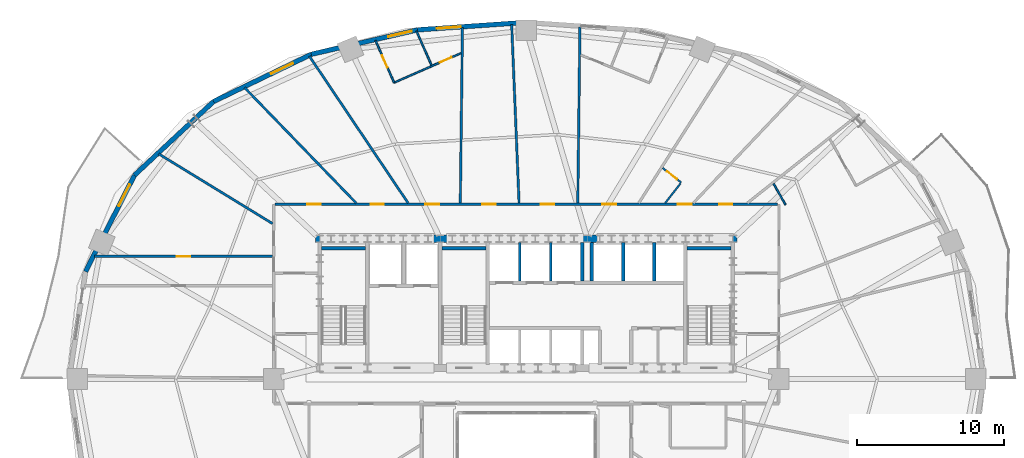
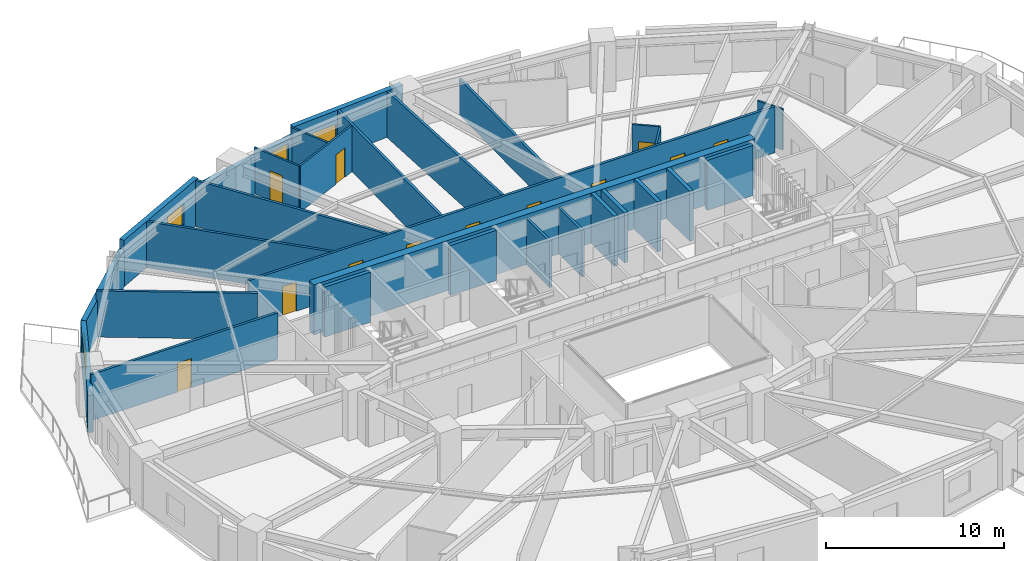
# One storey, part 11 of 16: 29 walls, 12 doors, 4 windows, 16 openings.
"""IFC4 building model written with IfcOpenShell, lengths in metres."""

from ifc_helpers import new_model, si_unit, direction, frame, frame_2d, origin, place, context, subcontext, project, spatial, rectangle, extrude, material, layer, layer_set, type_object, element, fill, save


model = new_model("IFC4")

# Units and contexts
model_context = context("Model", 3, precision=1e-05, world=origin(), true_north=direction((0.0, 1.0)))
body_context = subcontext(model_context, "Body", "Model", "MODEL_VIEW")
ifc_project = project(units=[si_unit("LENGTHUNIT", "METRE"), si_unit("AREAUNIT", "SQUARE_METRE"), si_unit("VOLUMEUNIT", "CUBIC_METRE"), si_unit("PLANEANGLEUNIT", "RADIAN"), si_unit("MASSUNIT", "GRAM", prefix="KILO")], contexts=[model_context])

# Site, building, storey
site_placement = place(None, origin())
site = spatial("IfcSite", under=ifc_project, at=site_placement, CompositionType="ELEMENT")
building_placement = place(site_placement, origin())
building = spatial("IfcBuilding", under=site, at=building_placement, Name="Haldorwick Loom Tower", CompositionType="ELEMENT")
storey_placement = place(building_placement, frame((0.0, 0.0, 68.85009765625)))
storey = spatial("IfcBuildingStorey", under=building, at=storey_placement, Name="L18", CompositionType="ELEMENT", Elevation=68.85009765625)

# Wall, opening, window
ifc_material_1 = material(Name="Pressed Clay Face Brick and Insulated Masonry Backup Assembly", Category="masonry")
ifc_layer_1 = layer(ifc_material_1, 0.320068359375, Name="Pressed Clay Face Brick and Insulated Masonry Backup Assembly", Category="masonry")
ifc_layer_set_1 = layer_set([ifc_layer_1], Name="Pressed Clay Face Brick and Insulated Masonry Backup Assembly")
wall_type_1 = type_object("IfcWallType", Name="ARC-WL-EXT320", PredefinedType="STANDARD", material=ifc_layer_set_1)
wall_1_placement = place(storey_placement, frame((36.0, 50.2900390625, 0.0), z_axis=(0.0, 0.0, 1.0), x_axis=(-0.997645161917, -0.068586667092, 0.0)))
wall_1 = element("IfcWall", 1, at=wall_1_placement, inside=storey, type_object=wall_type_1, Name="L18 Brick Pier and Spandrel Wall 7", PredefinedType="STANDARD", context=body_context, shape_type="SweptSolid", body=[
    extrude(rectangle(XDim=7.428955078125, YDim=0.320068359375, at=frame_2d((3.71435546875, 0.0))), origin(), (0.0, 0.0, 1.0), 3.18994140625),
])
opening_1_placement = place(wall_1_placement, frame((4.47900390625, 0.0, 0.800048828125)))
opening_1 = element("IfcOpeningElement", 2, at=opening_1_placement, cuts=wall_1, Name="Opening W-01B", PredefinedType="OPENING", context=body_context, shape_type="SweptSolid", body=[
    extrude(rectangle(XDim=1.64990234375, YDim=1.449951171875, at=frame_2d((0.824951171875, 0.72509765625))), frame((0.0, 0.169921875, 0.0), z_axis=(0.0, -1.0, 0.0), x_axis=(1.0, 0.0, 0.0)), (0.0, 0.0, 1.0), 0.340087890625),
])
ifc_material_2 = material(Name="Triple-Glazed Low-E Argon Insulated Glazing Unit", Category="glass")
window_type = type_object("IfcWindowType", Name="ARC-WIN-W165", PartitioningType="SINGLE_PANEL", PredefinedType="WINDOW", material=ifc_material_2)
window_1_placement = place(opening_1_placement, origin())
window_1 = element("IfcWindow", 3, at=window_1_placement, inside=storey, type_object=window_type, Name="L18 Deep-Set Zone 7A Window 7", OverallHeight=1.449951171875, OverallWidth=1.64990234375, PartitioningType="SINGLE_PANEL", PredefinedType="WINDOW", context=body_context, shape_type="SweptSolid", body=[
    extrude(rectangle(XDim=1.64990234375, YDim=1.449951171875, at=frame_2d((0.824951171875, 0.72509765625))), frame((0.0, 0.030029296875, 0.0), z_axis=(0.0, -1.0, 0.0), x_axis=(1.0, 0.0, 0.0)), (0.0, 0.0, 1.0), 0.06005859375),
])
fill(opening_1, window_1)

wall_2_placement = place(storey_placement, frame((28.588623046875, 49.780517578125, 0.0), z_axis=(0.0, 0.0, 1.0), x_axis=(-0.974522412345, -0.224290142088, 0.0)))
wall_2 = element("IfcWall", 4, at=wall_2_placement, inside=storey, type_object=wall_type_1, Name="L18 Brick Pier and Spandrel Wall 8", PredefinedType="STANDARD", context=body_context, shape_type="SweptSolid", body=[
    extrude(rectangle(XDim=7.422607421875, YDim=0.320068359375, at=frame_2d((3.71142578125, 0.0))), origin(), (0.0, 0.0, 1.0), 2.548828125),
])
opening_2_placement = place(wall_2_placement, frame((0.39990234375, 0.0, 0.800048828125)))
opening_2 = element("IfcOpeningElement", 5, at=opening_2_placement, cuts=wall_2, Name="Opening W-01B", PredefinedType="OPENING", context=body_context, shape_type="SweptSolid", body=[
    extrude(rectangle(XDim=1.64990234375, YDim=1.449951171875, at=frame_2d((0.824951171875, 0.72509765625))), frame((0.0, 0.169921875, 0.0), z_axis=(0.0, -1.0, 0.0), x_axis=(1.0, 0.0, 0.0)), (0.0, 0.0, 1.0), 0.340087890625),
])
window_2_placement = place(opening_2_placement, origin())
window_2 = element("IfcWindow", 6, at=window_2_placement, inside=storey, type_object=window_type, Name="L18 Deep-Set Zone 7A Window 8", OverallHeight=1.449951171875, OverallWidth=1.64990234375, PartitioningType="SINGLE_PANEL", PredefinedType="WINDOW", context=body_context, shape_type="SweptSolid", body=[
    extrude(rectangle(XDim=1.64990234375, YDim=1.449951171875, at=frame_2d((0.824951171875, 0.72509765625))), frame((0.0, 0.030029296875, 0.0), z_axis=(0.0, -1.0, 0.0), x_axis=(1.0, 0.0, 0.0)), (0.0, 0.0, 1.0), 0.06005859375),
])
fill(opening_2, window_2)

wall_3_placement = place(storey_placement, frame((21.355224609375, 48.11572265625, 0.0), z_axis=(0.0, 0.0, 1.0), x_axis=(-0.900295710431, -0.435278800057, 0.0)))
wall_3 = element("IfcWall", 7, at=wall_3_placement, inside=storey, type_object=wall_type_1, Name="L18 Brick Pier and Spandrel Wall 9", PredefinedType="STANDARD", context=body_context, shape_type="SweptSolid", body=[
    extrude(rectangle(XDim=7.39697265625, YDim=0.320068359375, at=frame_2d((3.698486328125, 0.0))), origin(), (0.0, 0.0, 1.0), 3.18994140625),
])
opening_3_placement = place(wall_3_placement, frame((1.39404296875, 0.0, 0.800048828125)))
opening_3 = element("IfcOpeningElement", 8, at=opening_3_placement, cuts=wall_3, Name="Opening W-01B", PredefinedType="OPENING", context=body_context, shape_type="SweptSolid", body=[
    extrude(rectangle(XDim=1.64990234375, YDim=1.449951171875, at=frame_2d((0.824951171875, 0.72509765625))), frame((0.0, 0.169921875, 0.0), z_axis=(0.0, -1.0, 0.0), x_axis=(1.0, 0.0, 0.0)), (0.0, 0.0, 1.0), 0.340087890625),
])
window_3_placement = place(opening_3_placement, origin())
window_3 = element("IfcWindow", 9, at=window_3_placement, inside=storey, type_object=window_type, Name="L18 Deep-Set Zone 7A Window 9", OverallHeight=1.449951171875, OverallWidth=1.64990234375, PartitioningType="SINGLE_PANEL", PredefinedType="WINDOW", context=body_context, shape_type="SweptSolid", body=[
    extrude(rectangle(XDim=1.64990234375, YDim=1.449951171875, at=frame_2d((0.824951171875, 0.72509765625))), frame((0.0, 0.030029296875, 0.0), z_axis=(0.0, -1.0, 0.0), x_axis=(1.0, 0.0, 0.0)), (0.0, 0.0, 1.0), 0.06005859375),
])
fill(opening_3, window_3)

# Wall
wall_4_placement = place(storey_placement, frame((14.69580078125, 44.89599609375, 0.0), z_axis=(0.0, 0.0, 1.0), x_axis=(-0.73176101237, -0.681561311091, 0.0)))
element("IfcWall", 10, at=wall_4_placement, inside=storey, type_object=wall_type_1, Name="L18 Brick Pier and Spandrel Wall 10", PredefinedType="STANDARD", context=body_context, shape_type="SweptSolid", body=[
    extrude(rectangle(XDim=7.3583984375, YDim=0.320068359375, at=frame_2d((3.67919921875, 0.0))), origin(), (0.0, 0.0, 1.0), 2.548828125),
])

# Wall, opening, window
wall_5_placement = place(storey_placement, frame((9.311279296875, 39.880859375, 0.0), z_axis=(0.0, 0.0, 1.0), x_axis=(-0.452950855928, -0.891535485617, 0.0)))
wall_5 = element("IfcWall", 11, at=wall_5_placement, inside=storey, type_object=wall_type_1, Name="L18 Brick Pier and Spandrel Wall 11", PredefinedType="STANDARD", context=body_context, shape_type="SweptSolid", body=[
    extrude(rectangle(XDim=7.3583984375, YDim=0.320068359375, at=frame_2d((3.67919921875, 0.0))), origin(), (0.0, 0.0, 1.0), 2.548828125),
])
opening_4_placement = place(wall_5_placement, frame((0.69921875, 0.0, 0.800048828125)))
opening_4 = element("IfcOpeningElement", 12, at=opening_4_placement, cuts=wall_5, Name="Opening W-01B", PredefinedType="OPENING", context=body_context, shape_type="SweptSolid", body=[
    extrude(rectangle(XDim=1.64990234375, YDim=1.449951171875, at=frame_2d((0.824951171875, 0.72509765625))), frame((0.0, 0.169921875, 0.0), z_axis=(0.0, -1.0, 0.0), x_axis=(1.0, 0.0, 0.0)), (0.0, 0.0, 1.0), 0.340087890625),
])
window_4_placement = place(opening_4_placement, origin())
window_4 = element("IfcWindow", 13, at=window_4_placement, inside=storey, type_object=window_type, Name="L18 Deep-Set Zone 7A Window 11", OverallHeight=1.449951171875, OverallWidth=1.64990234375, PartitioningType="SINGLE_PANEL", PredefinedType="WINDOW", context=body_context, shape_type="SweptSolid", body=[
    extrude(rectangle(XDim=1.64990234375, YDim=1.449951171875, at=frame_2d((0.824951171875, 0.72509765625))), frame((0.0, 0.030029296875, 0.0), z_axis=(0.0, -1.0, 0.0), x_axis=(1.0, 0.0, 0.0)), (0.0, 0.0, 1.0), 0.06005859375),
])
fill(opening_4, window_4)

# Wall, openings, doors
ifc_material_3 = material(Name="Fire-Rated Type X Gypsum Stud Assembly EI 60")
ifc_layer_2 = layer(ifc_material_3, 0.159912109375, Name="Fire-Rated Type X Gypsum Stud Assembly EI 60")
ifc_layer_set_2 = layer_set([ifc_layer_2], Name="Fire-Rated Type X Gypsum Stud Assembly EI 60")
wall_type_2 = type_object("IfcWallType", Name="ARC-WL-FIRE160", PredefinedType="PARTITIONING", material=ifc_layer_set_2)
wall_6_placement = place(storey_placement, frame((18.883056640625, 37.89990234375, 0.0), z_axis=(0.0, 0.0, 1.0), x_axis=(1.0, 0.0, 0.0)))
wall_6 = element("IfcWall", 14, at=wall_6_placement, inside=storey, type_object=wall_type_2, Name="L18 Residential Fire Partition L18-CR-N0", PredefinedType="PARTITIONING", context=body_context, shape_type="SweptSolid", body=[
    extrude(rectangle(XDim=34.23388671875, YDim=0.159912109375, at=frame_2d((17.116943359375, 0.0))), origin(), (0.0, 0.0, 1.0), 3.1748046875),
])
opening_5_placement = place(wall_6_placement, frame((2.200439453125, 0.0, 0.0)))
opening_5 = element("IfcOpeningElement", 15, at=opening_5_placement, cuts=wall_6, Name="Opening D-FD60A", PredefinedType="OPENING", context=body_context, shape_type="SweptSolid", body=[
    extrude(rectangle(XDim=0.89990234375, YDim=2.0, at=frame_2d((0.449951171875, 1.0))), frame((0.0, 0.08984375, 0.0), z_axis=(0.0, -1.0, 0.0), x_axis=(1.0, 0.0, 0.0)), (0.0, 0.0, 1.0), 0.179931640625),
])
opening_6_placement = place(wall_6_placement, frame((22.27392578125, 0.0, 0.0)))
opening_6 = element("IfcOpeningElement", 16, at=opening_6_placement, cuts=wall_6, Name="Opening D-FL95", PredefinedType="OPENING", context=body_context, shape_type="SweptSolid", body=[
    extrude(rectangle(XDim=0.949951171875, YDim=2.0400390625, at=frame_2d((0.47509765625, 1.02001953125))), frame((0.0, 0.08984375, 0.0), z_axis=(0.0, -1.0, 0.0), x_axis=(1.0, 0.0, 0.0)), (0.0, 0.0, 1.0), 0.179931640625),
])
opening_7_placement = place(wall_6_placement, frame((14.127197265625, 0.0, 0.0)))
opening_7 = element("IfcOpeningElement", 17, at=opening_7_placement, cuts=wall_6, Name="Opening D-FD60A", PredefinedType="OPENING", context=body_context, shape_type="SweptSolid", body=[
    extrude(rectangle(XDim=0.89990234375, YDim=2.0, at=frame_2d((0.449951171875, 1.0))), frame((0.0, 0.08984375, 0.0), z_axis=(0.0, -1.0, 0.0), x_axis=(1.0, 0.0, 0.0)), (0.0, 0.0, 1.0), 0.179931640625),
])
opening_8_placement = place(wall_6_placement, frame((18.1025390625, 0.0, 0.0)))
opening_8 = element("IfcOpeningElement", 18, at=opening_8_placement, cuts=wall_6, Name="Opening D-FD60A", PredefinedType="OPENING", context=body_context, shape_type="SweptSolid", body=[
    extrude(rectangle(XDim=0.89990234375, YDim=2.0, at=frame_2d((0.449951171875, 1.0))), frame((0.0, 0.08984375, 0.0), z_axis=(0.0, -1.0, 0.0), x_axis=(1.0, 0.0, 0.0)), (0.0, 0.0, 1.0), 0.179931640625),
])
opening_9_placement = place(wall_6_placement, frame((30.250244140625, 0.0, 0.0)))
opening_9 = element("IfcOpeningElement", 19, at=opening_9_placement, cuts=wall_6, Name="Opening D-FD60A", PredefinedType="OPENING", context=body_context, shape_type="SweptSolid", body=[
    extrude(rectangle(XDim=0.89990234375, YDim=2.0, at=frame_2d((0.449951171875, 1.0))), frame((0.0, 0.08984375, 0.0), z_axis=(0.0, -1.0, 0.0), x_axis=(1.0, 0.0, 0.0)), (0.0, 0.0, 1.0), 0.179931640625),
])
opening_10_placement = place(wall_6_placement, frame((6.507080078125, 0.0, 0.0)))
opening_10 = element("IfcOpeningElement", 20, at=opening_10_placement, cuts=wall_6, Name="Opening D-FD60A", PredefinedType="OPENING", context=body_context, shape_type="SweptSolid", body=[
    extrude(rectangle(XDim=0.89990234375, YDim=2.0, at=frame_2d((0.449951171875, 1.0))), frame((0.0, 0.08984375, 0.0), z_axis=(0.0, -1.0, 0.0), x_axis=(1.0, 0.0, 0.0)), (0.0, 0.0, 1.0), 0.179931640625),
])
opening_11_placement = place(wall_6_placement, frame((10.23681640625, 0.0, 0.0)))
opening_11 = element("IfcOpeningElement", 21, at=opening_11_placement, cuts=wall_6, Name="Opening D-FL95", PredefinedType="OPENING", context=body_context, shape_type="SweptSolid", body=[
    extrude(rectangle(XDim=0.949951171875, YDim=2.0400390625, at=frame_2d((0.47509765625, 1.02001953125))), frame((0.0, 0.08984375, 0.0), z_axis=(0.0, -1.0, 0.0), x_axis=(1.0, 0.0, 0.0)), (0.0, 0.0, 1.0), 0.179931640625),
])
opening_12_placement = place(wall_6_placement, frame((27.412841796875, 0.0, 0.0)))
opening_12 = element("IfcOpeningElement", 22, at=opening_12_placement, cuts=wall_6, Name="Opening D-FL95", PredefinedType="OPENING", context=body_context, shape_type="SweptSolid", body=[
    extrude(rectangle(XDim=0.949951171875, YDim=2.0400390625, at=frame_2d((0.47509765625, 1.02001953125))), frame((0.0, 0.08984375, 0.0), z_axis=(0.0, -1.0, 0.0), x_axis=(1.0, 0.0, 0.0)), (0.0, 0.0, 1.0), 0.179931640625),
])
ifc_material_4 = material(Name="Hollow Steel Fire Door Assembly", Category="steel")
door_type_1 = type_object("IfcDoorType", Name="ARC-DR-FD60-90", OperationType="NOTDEFINED", PredefinedType="DOOR", material=ifc_material_4)
door_1_placement = place(opening_5_placement, frame((0.89990234375, 0.0, 0.0), z_axis=(0.0, 0.0, 1.0), x_axis=(-1.0, 0.0, 0.0)))
door_1 = element("IfcDoor", 23, at=door_1_placement, inside=storey, type_object=door_type_1, Name="L18 Community Library Hall 5 to L18 North Residential Corridor Door", OperationType="SINGLE_SWING_LEFT", OverallHeight=2.0, OverallWidth=0.89990234375, PredefinedType="DOOR", context=body_context, shape_type="SweptSolid", body=[
    extrude(rectangle(XDim=0.89990234375, YDim=2.0, at=frame_2d((0.449951171875, 1.0))), frame((0.0, 0.02490234375, 0.0), z_axis=(0.0, -1.0, 0.0), x_axis=(1.0, 0.0, 0.0)), (0.0, 0.0, 1.0), 0.050048828125),
])
fill(opening_5, door_1)
door_2_placement = place(opening_7_placement, frame((0.89990234375, 0.0, 0.0), z_axis=(0.0, 0.0, 1.0), x_axis=(-1.0, 0.0, 0.0)))
door_2 = element("IfcDoor", 24, at=door_2_placement, inside=storey, type_object=door_type_1, Name="L18 Resident Study Room 2 to L18 North Residential Corridor Door", OperationType="SINGLE_SWING_RIGHT", OverallHeight=2.0, OverallWidth=0.89990234375, PredefinedType="DOOR", context=body_context, shape_type="SweptSolid", body=[
    extrude(rectangle(XDim=0.89990234375, YDim=2.0, at=frame_2d((0.449951171875, 1.0))), frame((0.0, 0.02490234375, 0.0), z_axis=(0.0, -1.0, 0.0), x_axis=(1.0, 0.0, 0.0)), (0.0, 0.0, 1.0), 0.050048828125),
])
fill(opening_7, door_2)
door_3_placement = place(opening_8_placement, frame((0.89990234375, 0.0, 0.0), z_axis=(0.0, 0.0, 1.0), x_axis=(-1.0, 0.0, 0.0)))
door_3 = element("IfcDoor", 25, at=door_3_placement, inside=storey, type_object=door_type_1, Name="L18 Quiet Study Room 3 to L18 North Residential Corridor Door", OperationType="SINGLE_SWING_LEFT", OverallHeight=2.0, OverallWidth=0.89990234375, PredefinedType="DOOR", context=body_context, shape_type="SweptSolid", body=[
    extrude(rectangle(XDim=0.89990234375, YDim=2.0, at=frame_2d((0.449951171875, 1.0))), frame((0.0, 0.02490234375, 0.0), z_axis=(0.0, -1.0, 0.0), x_axis=(1.0, 0.0, 0.0)), (0.0, 0.0, 1.0), 0.050048828125),
])
fill(opening_8, door_3)
door_4_placement = place(opening_9_placement, frame((0.89990234375, 0.0, 0.0), z_axis=(0.0, 0.0, 1.0), x_axis=(-1.0, 0.0, 0.0)))
door_4 = element("IfcDoor", 26, at=door_4_placement, inside=storey, type_object=door_type_1, Name="L18 Resident Study Room 13 to L18 North Residential Corridor Door", OperationType="SINGLE_SWING_RIGHT", OverallHeight=2.0, OverallWidth=0.89990234375, PredefinedType="DOOR", context=body_context, shape_type="SweptSolid", body=[
    extrude(rectangle(XDim=0.89990234375, YDim=2.0, at=frame_2d((0.449951171875, 1.0))), frame((0.0, 0.02490234375, 0.0), z_axis=(0.0, -1.0, 0.0), x_axis=(1.0, 0.0, 0.0)), (0.0, 0.0, 1.0), 0.050048828125),
])
fill(opening_9, door_4)
door_5_placement = place(opening_10_placement, frame((0.89990234375, 0.0, 0.0), z_axis=(0.0, 0.0, 1.0), x_axis=(-1.0, 0.0, 0.0)))
door_5 = element("IfcDoor", 27, at=door_5_placement, inside=storey, type_object=door_type_1, Name="L18 Community Library Hall 12 to L18 North Residential Corridor Door", OperationType="SINGLE_SWING_RIGHT", OverallHeight=2.0, OverallWidth=0.89990234375, PredefinedType="DOOR", context=body_context, shape_type="SweptSolid", body=[
    extrude(rectangle(XDim=0.89990234375, YDim=2.0, at=frame_2d((0.449951171875, 1.0))), frame((0.0, 0.02490234375, 0.0), z_axis=(0.0, -1.0, 0.0), x_axis=(1.0, 0.0, 0.0)), (0.0, 0.0, 1.0), 0.050048828125),
])
fill(opening_10, door_5)
ifc_material_5 = material(Name="Solid Core Birch Architectural Door")
door_type_2 = type_object("IfcDoorType", Name="ARC-DR-FLAT95", OperationType="NOTDEFINED", PredefinedType="DOOR", material=ifc_material_5)
door_6_placement = place(opening_6_placement, frame((0.949951171875, 0.0, 0.0), z_axis=(0.0, 0.0, 1.0), x_axis=(-1.0, 0.0, 0.0)))
door_6 = element("IfcDoor", 28, at=door_6_placement, inside=storey, type_object=door_type_2, Name="L18 Unit 18K Kitchen and Living Room to L18 North Residential Corridor D", OperationType="SINGLE_SWING_LEFT", OverallHeight=2.0400390625, OverallWidth=0.949951171875, PredefinedType="DOOR", context=body_context, shape_type="SweptSolid", body=[
    extrude(rectangle(XDim=0.949951171875, YDim=2.0400390625, at=frame_2d((0.47509765625, 1.02001953125))), frame((0.0, 0.02490234375, 0.0), z_axis=(0.0, -1.0, 0.0), x_axis=(1.0, 0.0, 0.0)), (0.0, 0.0, 1.0), 0.050048828125),
])
fill(opening_6, door_6)
door_7_placement = place(opening_11_placement, frame((0.949951171875, 0.0, 0.0), z_axis=(0.0, 0.0, 1.0), x_axis=(-1.0, 0.0, 0.0)))
door_7 = element("IfcDoor", 29, at=door_7_placement, inside=storey, type_object=door_type_2, Name="L18 Unit 18M Kitchen and Living Room to L18 North Residential Corridor D", OperationType="SINGLE_SWING_LEFT", OverallHeight=2.0400390625, OverallWidth=0.949951171875, PredefinedType="DOOR", context=body_context, shape_type="SweptSolid", body=[
    extrude(rectangle(XDim=0.949951171875, YDim=2.0400390625, at=frame_2d((0.47509765625, 1.02001953125))), frame((0.0, 0.02490234375, 0.0), z_axis=(0.0, -1.0, 0.0), x_axis=(1.0, 0.0, 0.0)), (0.0, 0.0, 1.0), 0.050048828125),
])
fill(opening_11, door_7)
door_8_placement = place(opening_12_placement, frame((0.949951171875, 0.0, 0.0), z_axis=(0.0, 0.0, 1.0), x_axis=(-1.0, 0.0, 0.0)))
door_8 = element("IfcDoor", 30, at=door_8_placement, inside=storey, type_object=door_type_2, Name="L18 Unit 18J Kitchen and Studio Living Room to L18 North Residential Cor", OperationType="SINGLE_SWING_RIGHT", OverallHeight=2.0400390625, OverallWidth=0.949951171875, PredefinedType="DOOR", context=body_context, shape_type="SweptSolid", body=[
    extrude(rectangle(XDim=0.949951171875, YDim=2.0400390625, at=frame_2d((0.47509765625, 1.02001953125))), frame((0.0, 0.02490234375, 0.0), z_axis=(0.0, -1.0, 0.0), x_axis=(1.0, 0.0, 0.0)), (0.0, 0.0, 1.0), 0.050048828125),
])
fill(opening_12, door_8)

# Wall, opening, door
wall_7_placement = place(storey_placement, frame((6.57421875, 34.35009765625, 0.0), z_axis=(0.0, 0.0, 1.0), x_axis=(1.0, 0.0, 0.0)))
wall_7 = element("IfcWall", 31, at=wall_7_placement, inside=storey, type_object=wall_type_2, Name="L18 Residential Fire Partition L18-CR-GW1", PredefinedType="PARTITIONING", context=body_context, shape_type="SweptSolid", body=[
    extrude(rectangle(XDim=12.142822265625, YDim=0.159912109375, at=frame_2d((6.0712890625, 0.0))), origin(), (0.0, 0.0, 1.0), 3.1748046875),
])
opening_13_placement = place(wall_7_placement, frame((5.621337890625, 0.0, 0.0)))
opening_13 = element("IfcOpeningElement", 32, at=opening_13_placement, cuts=wall_7, Name="Opening D-FD60A", PredefinedType="OPENING", context=body_context, shape_type="SweptSolid", body=[
    extrude(rectangle(XDim=0.89990234375, YDim=2.0, at=frame_2d((0.449951171875, 1.0))), frame((0.0, 0.08984375, 0.0), z_axis=(0.0, -1.0, 0.0), x_axis=(1.0, 0.0, 0.0)), (0.0, 0.0, 1.0), 0.179931640625),
])
door_9_placement = place(opening_13_placement, frame((0.89990234375, 0.0, 0.0), z_axis=(0.0, 0.0, 1.0), x_axis=(-1.0, 0.0, 0.0)))
door_9 = element("IfcDoor", 33, at=door_9_placement, inside=storey, type_object=door_type_1, Name="L18 Resident Study Room 1 to L18 West Daylight Corridor Door", OperationType="SINGLE_SWING_RIGHT", OverallHeight=2.0, OverallWidth=0.89990234375, PredefinedType="DOOR", context=body_context, shape_type="SweptSolid", body=[
    extrude(rectangle(XDim=0.89990234375, YDim=2.0, at=frame_2d((0.449951171875, 1.0))), frame((0.0, 0.02490234375, 0.0), z_axis=(0.0, -1.0, 0.0), x_axis=(1.0, 0.0, 0.0)), (0.0, 0.0, 1.0), 0.050048828125),
])
fill(opening_13, door_9)

# Walls
wall_8_placement = place(storey_placement, frame((31.5009765625, 37.98291015625, 0.0), z_axis=(0.0, 0.0, 1.0), x_axis=(0.012121684325, 0.999926529686, 0.0)))
element("IfcWall", 34, at=wall_8_placement, inside=storey, type_object=wall_type_2, Name="L18 Residential Fire Partition L18-UPN-11", PredefinedType="PARTITIONING", context=body_context, shape_type="SweptSolid", body=[
    extrude(rectangle(XDim=11.943603515625, YDim=0.159912109375, at=frame_2d((5.9716796875, 0.0))), origin(), (0.0, 0.0, 1.0), 3.1748046875),
])
wall_9_placement = place(storey_placement, frame((39.5009765625, 37.98291015625, 0.0), z_axis=(0.0, 0.0, 1.0), x_axis=(0.012113289879, 0.999926631413, 0.0)))
element("IfcWall", 35, at=wall_9_placement, inside=storey, type_object=wall_type_2, Name="L18 Residential Fire Partition L18-UPN-12", PredefinedType="PARTITIONING", context=body_context, shape_type="SweptSolid", body=[
    extrude(rectangle(XDim=11.9921875, YDim=0.159912109375, at=frame_2d((5.99609375, 0.0))), origin(), (0.0, 0.0, 1.0), 2.469970703125),
])
wall_10_placement = place(storey_placement, frame((18.717041015625, 36.582763671875, 0.0), z_axis=(0.0, 0.0, 1.0), x_axis=(-0.852833489284, 0.522182956018, 0.0)))
element("IfcWall", 36, at=wall_10_placement, inside=storey, type_object=wall_type_2, Name="L18 Suite Split Wall", PredefinedType="PARTITIONING", context=body_context, shape_type="SweptSolid", body=[
    extrude(rectangle(XDim=9.09228515625, YDim=0.159912109375, at=frame_2d((4.546142578125, 0.0))), origin(), (0.0, 0.0, 1.0), 3.1748046875),
])
wall_11_placement = place(storey_placement, frame((35.5029296875, 37.98291015625, 0.0), z_axis=(0.0, 0.0, 1.0), x_axis=(-0.041439674376, 0.99914100776, 0.0)))
element("IfcWall", 37, at=wall_11_placement, inside=storey, type_object=wall_type_2, Name="L18 Suite Split Wall", PredefinedType="PARTITIONING", context=body_context, shape_type="SweptSolid", body=[
    extrude(rectangle(XDim=12.18359375, YDim=0.159912109375, at=frame_2d((6.091796875, 0.0))), origin(), (0.0, 0.0, 1.0), 3.1748046875),
])
wall_12_placement = place(storey_placement, frame((24.411376953125, 37.98291015625, 0.0), z_axis=(0.0, 0.0, 1.0), x_axis=(-0.695165936996, 0.718849302733, 0.0)))
element("IfcWall", 38, at=wall_12_placement, inside=storey, type_object=wall_type_2, Name="L18 Suite Split Wall", PredefinedType="PARTITIONING", context=body_context, shape_type="SweptSolid", body=[
    extrude(rectangle(XDim=10.937255859375, YDim=0.159912109375, at=frame_2d((5.46875, 0.0))), origin(), (0.0, 0.0, 1.0), 3.1748046875),
])
wall_13_placement = place(storey_placement, frame((27.94580078125, 37.98291015625, 0.0), z_axis=(0.0, 0.0, 1.0), x_axis=(-0.557834434935, 0.829952253567, 0.0)))
element("IfcWall", 39, at=wall_13_placement, inside=storey, type_object=wall_type_2, Name="L18 Suite Split Wall", PredefinedType="PARTITIONING", context=body_context, shape_type="SweptSolid", body=[
    extrude(rectangle(XDim=12.046630859375, YDim=0.159912109375, at=frame_2d((6.0234375, 0.0))), origin(), (0.0, 0.0, 1.0), 3.1748046875),
])

# Wall, opening, door
ifc_material_6 = material(Name="Acoustic Gypsum Stud Assembly STC 55")
ifc_layer_3 = layer(ifc_material_6, 0.1201171875, Name="Acoustic Gypsum Stud Assembly STC 55")
ifc_layer_set_3 = layer_set([ifc_layer_3], Name="Acoustic Gypsum Stud Assembly STC 55")
wall_type_3 = type_object("IfcWallType", Name="ARC-WL-PART120", PredefinedType="PARTITIONING", material=ifc_layer_set_3)
wall_14_placement = place(storey_placement, frame((46.546142578125, 39.379150390625, 0.0), z_axis=(0.0, 0.0, 1.0), x_axis=(-0.787065876482, 0.616868953732, 0.0)))
wall_14 = element("IfcWall", 40, at=wall_14_placement, inside=storey, type_object=wall_type_3, Name="L18 Unit 18J Interior Partition", PredefinedType="PARTITIONING", context=body_context, shape_type="SweptSolid", body=[
    extrude(rectangle(XDim=1.60791015625, YDim=0.1201171875, at=frame_2d((0.803955078125, 0.0))), origin(), (0.0, 0.0, 1.0), 3.1748046875),
])
opening_14_placement = place(wall_14_placement, frame((0.364013671875, 0.0, 0.0)))
opening_14 = element("IfcOpeningElement", 41, at=opening_14_placement, cuts=wall_14, Name="Opening D-BT88", PredefinedType="OPENING", context=body_context, shape_type="SweptSolid", body=[
    extrude(rectangle(XDim=0.8798828125, YDim=2.02001953125, at=frame_2d((0.43994140625, 1.010009765625))), frame((0.0, 0.070068359375, 0.0), z_axis=(0.0, -1.0, 0.0), x_axis=(1.0, 0.0, 0.0)), (0.0, 0.0, 1.0), 0.14013671875),
])
door_type_3 = type_object("IfcDoorType", Name="ARC-DR-BATH88", OperationType="NOTDEFINED", PredefinedType="DOOR", material=ifc_material_5)
door_10_placement = place(opening_14_placement, origin())
door_10 = element("IfcDoor", 42, at=door_10_placement, inside=storey, type_object=door_type_3, Name="L18 Unit 18J Bathroom to Unit 18J Kitchen and Studio Living Room Door", OperationType="SINGLE_SWING_LEFT", OverallHeight=2.02001953125, OverallWidth=0.8798828125, PredefinedType="DOOR", context=body_context, shape_type="SweptSolid", body=[
    extrude(rectangle(XDim=0.8798828125, YDim=2.02001953125, at=frame_2d((0.43994140625, 1.010009765625))), frame((0.0, 0.02490234375, 0.0), z_axis=(0.0, -1.0, 0.0), x_axis=(1.0, 0.0, 0.0)), (0.0, 0.0, 1.0), 0.050048828125),
])
fill(opening_14, door_10)

# Wall
wall_15_placement = place(storey_placement, frame((45.451904296875, 37.98291015625, 0.0), z_axis=(0.0, 0.0, 1.0), x_axis=(0.6168506066, 0.787080255842, 0.0)))
element("IfcWall", 43, at=wall_15_placement, inside=storey, type_object=wall_type_3, Name="L18 Unit 18J Interior Partition", PredefinedType="PARTITIONING", context=body_context, shape_type="SweptSolid", body=[
    extrude(rectangle(XDim=1.7109375, YDim=0.1201171875, at=frame_2d((0.85546875, 0.0))), origin(), (0.0, 0.0, 1.0), 3.1748046875),
])

# Wall, opening, door
wall_16_placement = place(storey_placement, frame((31.54150390625, 48.18603515625, 0.0), z_axis=(0.0, 0.0, 1.0), x_axis=(-0.915004749565, -0.403443066955, 0.0)))
wall_16 = element("IfcWall", 44, at=wall_16_placement, inside=storey, type_object=wall_type_3, Name="L18 Unit 18M Interior Partition", PredefinedType="PARTITIONING", context=body_context, shape_type="SweptSolid", body=[
    extrude(rectangle(XDim=4.969970703125, YDim=0.1201171875, at=frame_2d((2.48486328125, 0.0))), origin(), (0.0, 0.0, 1.0), 3.1748046875),
])
opening_15_placement = place(wall_16_placement, frame((0.689697265625, 0.0, 0.0)))
opening_15 = element("IfcOpeningElement", 45, at=opening_15_placement, cuts=wall_16, Name="Opening D-BT88", PredefinedType="OPENING", context=body_context, shape_type="SweptSolid", body=[
    extrude(rectangle(XDim=0.8798828125, YDim=2.02001953125, at=frame_2d((0.43994140625, 1.010009765625))), frame((0.0, 0.070068359375, 0.0), z_axis=(0.0, -1.0, 0.0), x_axis=(1.0, 0.0, 0.0)), (0.0, 0.0, 1.0), 0.14013671875),
])
door_11_placement = place(opening_15_placement, origin())
door_11 = element("IfcDoor", 46, at=door_11_placement, inside=storey, type_object=door_type_3, Name="L18 Unit 18M Kitchen and Living Room to Unit 18M Bathroom Door", OperationType="SINGLE_SWING_LEFT", OverallHeight=2.02001953125, OverallWidth=0.8798828125, PredefinedType="DOOR", context=body_context, shape_type="SweptSolid", body=[
    extrude(rectangle(XDim=0.8798828125, YDim=2.02001953125, at=frame_2d((0.43994140625, 1.010009765625))), frame((0.0, 0.02490234375, 0.0), z_axis=(0.0, -1.0, 0.0), x_axis=(1.0, 0.0, 0.0)), (0.0, 0.0, 1.0), 0.050048828125),
])
fill(opening_15, door_11)

wall_17_placement = place(storey_placement, frame((26.993896484375, 46.180908203125, 0.0), z_axis=(0.0, 0.0, 1.0), x_axis=(-0.403446937557, 0.915003042932, 0.0)))
wall_17 = element("IfcWall", 47, at=wall_17_placement, inside=storey, type_object=wall_type_3, Name="L18 Unit 18M Interior Partition", PredefinedType="PARTITIONING", context=body_context, shape_type="SweptSolid", body=[
    extrude(rectangle(XDim=3.141357421875, YDim=0.1201171875, at=frame_2d((1.57080078125, 0.0))), origin(), (0.0, 0.0, 1.0), 3.1748046875),
])
opening_16_placement = place(wall_17_placement, frame((1.12060546875, 0.0, 0.0)))
opening_16 = element("IfcOpeningElement", 48, at=opening_16_placement, cuts=wall_17, Name="Opening D-IN90", PredefinedType="OPENING", context=body_context, shape_type="SweptSolid", body=[
    extrude(rectangle(XDim=0.89990234375, YDim=2.0400390625, at=frame_2d((0.449951171875, 1.02001953125))), frame((0.0, 0.070068359375, 0.0), z_axis=(0.0, -1.0, 0.0), x_axis=(1.0, 0.0, 0.0)), (0.0, 0.0, 1.0), 0.14013671875),
])
door_type_4 = type_object("IfcDoorType", Name="ARC-DR-INT90", OperationType="NOTDEFINED", PredefinedType="DOOR", material=ifc_material_5)
door_12_placement = place(opening_16_placement, origin())
door_12 = element("IfcDoor", 49, at=door_12_placement, inside=storey, type_object=door_type_4, Name="L18 Unit 18M Kitchen and Living Room to Unit 18M Bedroom 1 Door", OperationType="SINGLE_SWING_RIGHT", OverallHeight=2.0400390625, OverallWidth=0.89990234375, PredefinedType="DOOR", context=body_context, shape_type="SweptSolid", body=[
    extrude(rectangle(XDim=0.89990234375, YDim=2.0400390625, at=frame_2d((0.449951171875, 1.02001953125))), frame((0.0, 0.02490234375, 0.0), z_axis=(0.0, -1.0, 0.0), x_axis=(1.0, 0.0, 0.0)), (0.0, 0.0, 1.0), 0.050048828125),
])
fill(opening_16, door_12)

# Walls
wall_18_placement = place(storey_placement, frame((29.5400390625, 47.372314453125, 0.0), z_axis=(0.0, 0.0, 1.0), x_axis=(-0.403524270861, 0.914968940908, 0.0)))
element("IfcWall", 50, at=wall_18_placement, inside=storey, type_object=wall_type_3, Name="L18 Unit 18M Interior Partition", PredefinedType="PARTITIONING", context=body_context, shape_type="SweptSolid", body=[
    extrude(rectangle(XDim=2.54052734375, YDim=0.1201171875, at=frame_2d((1.270263671875, 0.0))), origin(), (0.0, 0.0, 1.0), 3.1748046875),
])
wall_19_placement = place(storey_placement, frame((53.6484375, 37.861083984375, 0.0), z_axis=(0.0, 0.0, 1.0), x_axis=(-0.48913023421, 0.872210762363, 0.0)))
element("IfcWall", 51, at=wall_19_placement, inside=storey, type_object=wall_type_3, Name="L18 Unit 18O Interior Partition", PredefinedType="PARTITIONING", context=body_context, shape_type="SweptSolid", body=[
    extrude(rectangle(XDim=1.650634765625, YDim=0.1201171875, at=frame_2d((0.8251953125, 0.0))), origin(), (0.0, 0.0, 1.0), 2.806884765625),
])
ifc_material_7 = material(Name="Fire-Rated Type X Gypsum Stud Assembly EI 120")
ifc_layer_4 = layer(ifc_material_7, 0.1650390625, Name="Fire-Rated Type X Gypsum Stud Assembly EI 120")
ifc_layer_set_4 = layer_set([ifc_layer_4], Name="Fire-Rated Type X Gypsum Stud Assembly EI 120")
wall_type_4 = type_object("IfcWallType", Name="ARC-WL-SHAFT160", PredefinedType="MOVABLE", material=ifc_layer_set_4)
for number, where, z_axis, x_axis, name in (
    (52, (35.550048828125, 32.673095703125, 0.0), (0.0, 0.0, 1.0), (0.0, 1.0, 0.0), "L18 Low-Rise Hoistway Divider 1"),
    (53, (37.64990234375, 32.673095703125, 0.0), (0.0, 0.0, 1.0), (0.0, 1.0, 0.0), "L18 Low-Rise Hoistway Divider 2"),
):
    element("IfcWall", number, at=place(storey_placement, frame(where, z_axis=z_axis, x_axis=x_axis)), inside=storey, type_object=wall_type_4, Name=name, PredefinedType="MOVABLE", context=body_context, shape_type="SweptSolid", body=[
        extrude(rectangle(XDim=2.6240234375, YDim=0.159912109375, at=frame_2d((1.31201171875, 0.0))), origin(), (0.0, 0.0, 1.0), 3.1748046875),
    ])
ifc_material_8 = material(Name="Concrete C60 (60 MPa)", Category="concrete")
ifc_layer_5 = layer(ifc_material_8, 0.5, Name="Concrete C60 (60 MPa)", Category="concrete")
ifc_layer_set_5 = layer_set([ifc_layer_5], Name="Concrete C60 (60 MPa)")
wall_type_5 = type_object("IfcWallType", Name="STR-WL-CORE500", PredefinedType="SHEAR", material=ifc_layer_set_5)
wall_20_placement = place(storey_placement, frame((50.35009765625, 35.550048828125, 0.0), z_axis=(0.0, 0.0, 1.0), x_axis=(-1.0, 0.0, 0.0)))
element("IfcWall", 54, at=wall_20_placement, inside=storey, type_object=wall_type_5, Name="L18 Core Shear Wall N", PredefinedType="SHEAR", context=body_context, shape_type="SweptSolid", body=[
    extrude(rectangle(XDim=28.7001953125, YDim=0.5, at=frame_2d((14.35009765625, 0.0))), origin(), (0.0, 0.0, 1.0), 3.449951171875),
])
ifc_material_9 = material(Name="Concrete C50 (50 MPa)", Category="concrete")
ifc_layer_6 = layer(ifc_material_9, 0.239990234375, Name="Concrete C50 (50 MPa)", Category="concrete")
ifc_layer_set_6 = layer_set([ifc_layer_6], Name="Concrete C50 (50 MPa)")
wall_type_6 = type_object("IfcWallType", Name="STR-WL-SHAFT240", PredefinedType="SHEAR", material=ifc_layer_set_6)
for number, where, z_axis, x_axis, name in (
    (55, (22.052978515625, 34.919921875, 0.0), (0.0, 0.0, 1.0), (1.0, 0.0, 0.0), "L18 Core Shear Wall 1N"),
    (56, (30.2529296875, 34.919921875, 0.0), (0.0, 0.0, 1.0), (1.0, 0.0, 0.0), "L18 Core Shear Wall 3N"),
    (57, (46.952880859375, 34.919921875, 0.0), (0.0, 0.0, 1.0), (1.0, 0.0, 0.0), "L18 Core Shear Wall 4N"),
):
    element("IfcWall", number, at=place(storey_placement, frame(where, z_axis=z_axis, x_axis=x_axis)), inside=storey, type_object=wall_type_6, Name=name, PredefinedType="SHEAR", context=body_context, shape_type="SweptSolid", body=[
        extrude(rectangle(XDim=2.994140625, YDim=0.239990234375, at=frame_2d((1.4970703125, 0.0))), origin(), (0.0, 0.0, 1.0), 3.449951171875),
    ])
for number, where, z_axis, x_axis, name in (
    (58, (39.800048828125, 32.673095703125, 0.0), (0.0, 0.0, 1.0), (0.0, 1.0, 0.0), "L18 Core Shear Wall LHW"),
    (59, (40.449951171875, 32.673095703125, 0.0), (0.0, 0.0, 1.0), (0.0, 1.0, 0.0), "L18 Core Shear Wall H0"),
    (60, (42.60009765625, 32.673095703125, 0.0), (0.0, 0.0, 1.0), (0.0, 1.0, 0.0), "L18 Core Shear Wall H1"),
    (61, (44.699951171875, 32.673095703125, 0.0), (0.0, 0.0, 1.0), (0.0, 1.0, 0.0), "L18 Core Shear Wall H2"),
):
    element("IfcWall", number, at=place(storey_placement, frame(where, z_axis=z_axis, x_axis=x_axis)), inside=storey, type_object=wall_type_6, Name=name, PredefinedType="SHEAR", context=body_context, shape_type="SweptSolid", body=[
        extrude(rectangle(XDim=2.6240234375, YDim=0.239990234375, at=frame_2d((1.31201171875, 0.0))), origin(), (0.0, 0.0, 1.0), 3.449951171875),
    ])

save(model, "model.ifc")
